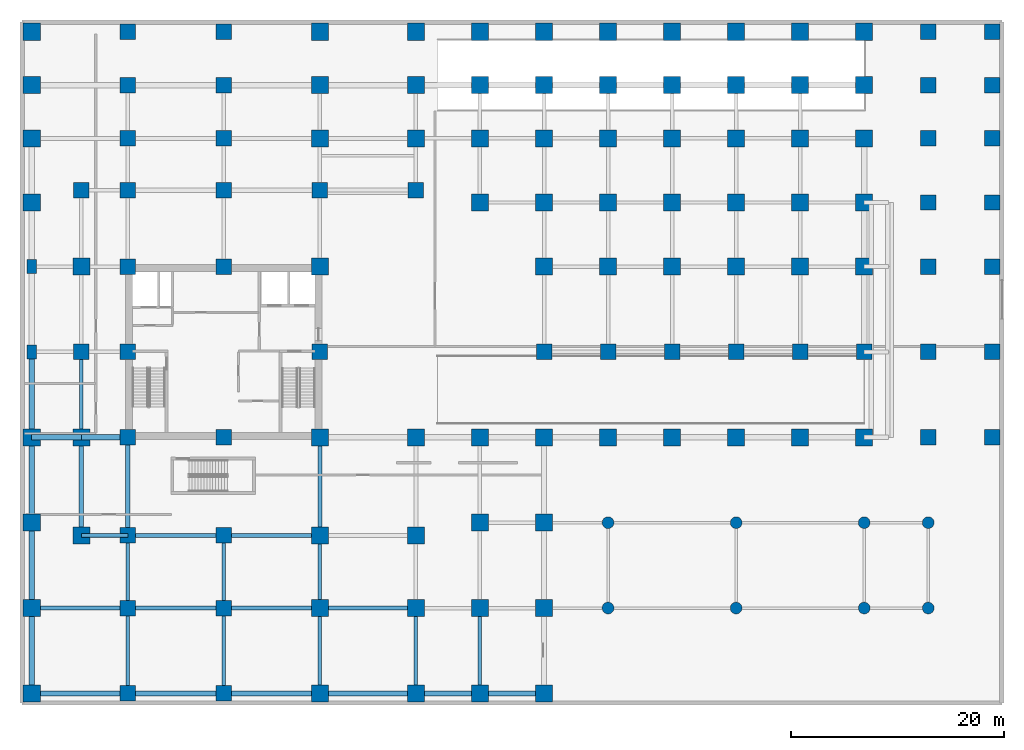
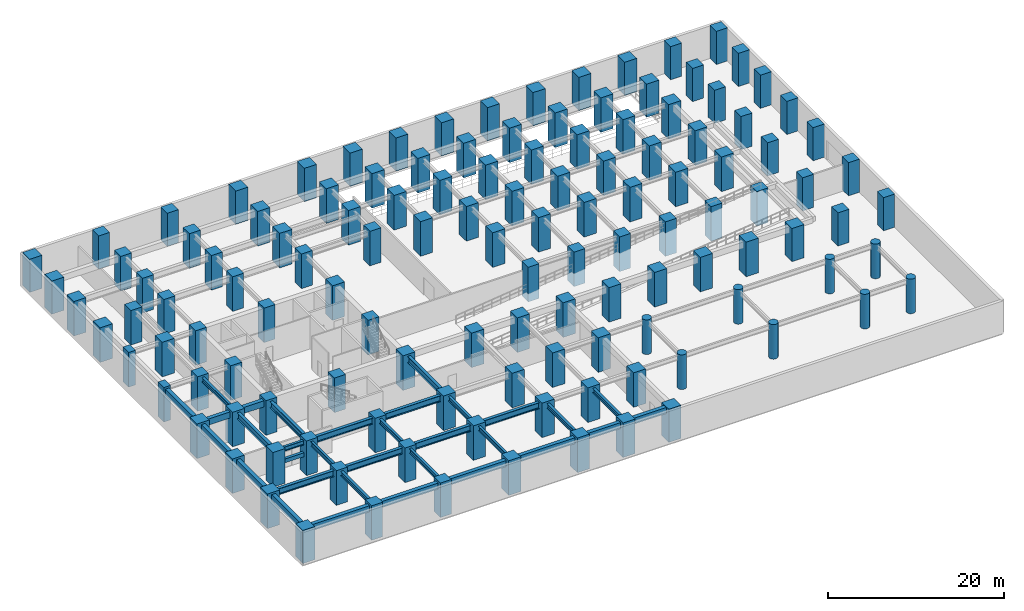
# One storey, part 1 of 9: 127 columns, 32 beams.
"""IFC4 building model written with IfcOpenShell, lengths in metres."""

from ifc_helpers import new_model, si_unit, direction, frame, origin, origin_2d, place, context, subcontext, project, spatial, rectangle, circle, i_section, extrude, source, transform, mapped, material, material_profile, profile_set, type_object, element, save


model = new_model("IFC4")

# Units and contexts
model_context = context("Model", 3, precision=1e-05, world=origin(), true_north=direction((0.0, 1.0)))
body_context = subcontext(model_context, "Body", "Model", "MODEL_VIEW")
ifc_project = project(units=[si_unit("LENGTHUNIT", "METRE"), si_unit("AREAUNIT", "SQUARE_METRE"), si_unit("VOLUMEUNIT", "CUBIC_METRE"), si_unit("PLANEANGLEUNIT", "RADIAN"), si_unit("MASSUNIT", "GRAM", prefix="KILO")], contexts=[model_context])

# Site, building, storey
site_placement = place(None, origin())
site = spatial("IfcSite", under=ifc_project, at=site_placement, CompositionType="ELEMENT")
building_placement = place(site_placement, origin())
building = spatial("IfcBuilding", under=site, at=building_placement, Name="Torre Montelarca", CompositionType="ELEMENT")
storey_placement = place(building_placement, frame((0.0, 0.0, -4.800048828125)))
storey = spatial("IfcBuildingStorey", under=building, at=storey_placement, Name="B1", CompositionType="ELEMENT", Elevation=-4.800048828125)

# Columns
ifc_material_1 = material(Name="Concrete C70/85", Category="concrete")
ifc_material_profile_1 = material_profile(ifc_material_1, rectangle(XDim=1.60009765625, YDim=1.60009765625, at=origin_2d()), Name="RC1600X1600", Category="concrete")
ifc_profile_set_1 = profile_set([ifc_material_profile_1], Name="Concrete C70/85")
column_type_1 = type_object("IfcColumnType", Name="COL-RC1600-EXT", PredefinedType="COLUMN", material=ifc_profile_set_1)
shared_shape_1 = source(origin(), body_context, "Body", "SweptSolid", [
    extrude(rectangle(XDim=1.60009765625, YDim=1.60009765625, at=origin_2d()), origin(), (0.0, 0.0, 1.0), 4.599365234375),
])
for number, where, z_axis, x_axis, name in (
    (1, (0.0, 0.0, 0.000732421875), (0.0, 0.0, 1.0), (1.0, 0.0, 0.0), "B1 Perimeter Mega Column 1/A"),
    (2, (0.0, 57.0, 0.000732421875), (0.0, 0.0, 1.0), (1.0, 0.0, 0.0), "B1 Perimeter Mega Column 1/J"),
    (3, (0.0, 62.0, 0.000732421875), (0.0, 0.0, 1.0), (1.0, 0.0, 0.0), "B1 Perimeter Mega Column 1/K"),
    (4, (27.0, 62.0, 0.000732421875), (0.0, 0.0, 1.0), (1.0, 0.0, 0.0), "B1 Perimeter Mega Column 4/K"),
    (5, (36.0, 62.0, 0.000732421875), (0.0, 0.0, 1.0), (1.0, 0.0, 0.0), "B1 Perimeter Mega Column 5/K"),
    (6, (42.0, 62.0, 0.000732421875), (0.0, 0.0, 1.0), (1.0, 0.0, 0.0), "B1 Perimeter Mega Column 6/K"),
    (7, (48.0, 0.0, 0.000732421875), (0.0, 0.0, 1.0), (1.0, 0.0, 0.0), "B1 Perimeter Mega Column 7/A"),
    (8, (48.0, 62.0, 0.000732421875), (0.0, 0.0, 1.0), (1.0, 0.0, 0.0), "B1 Perimeter Mega Column 7/K"),
    (9, (54.0, 62.0, 0.000732421875), (0.0, 0.0, 1.0), (1.0, 0.0, 0.0), "B1 Perimeter Mega Column 8/K"),
    (10, (60.0, 62.0, 0.000732421875), (0.0, 0.0, 1.0), (1.0, 0.0, 0.0), "B1 Perimeter Mega Column 9/K"),
    (11, (66.0, 62.0, 0.000732421875), (0.0, 0.0, 1.0), (1.0, 0.0, 0.0), "B1 Perimeter Mega Column 10/K"),
    (12, (72.0, 62.0, 0.000732421875), (0.0, 0.0, 1.0), (1.0, 0.0, 0.0), "B1 Perimeter Mega Column 11/K"),
    (13, (78.0, 62.0, 0.000732421875), (0.0, 0.0, 1.0), (1.0, 0.0, 0.0), "B1 Perimeter Mega Column 12/K"),
):
    element("IfcColumn", number, at=place(storey_placement, frame(where, z_axis=z_axis, x_axis=x_axis)), inside=storey, type_object=column_type_1, Name=name, PredefinedType="COLUMN", context=body_context, shape_type="MappedRepresentation", body=[
        mapped(shared_shape_1, transform((0.0, 0.0, 0.0), scale=1.0)),
    ])
shared_shape_2 = source(origin(), body_context, "Body", "SweptSolid", [
    extrude(rectangle(XDim=1.60009765625, YDim=1.60009765625, at=origin_2d()), origin(), (0.0, 0.0, 1.0), 4.798583984375),
])
for number, where, z_axis, x_axis, name in (
    (14, (0.0, 8.0, 0.000732421875), (0.0, 0.0, 1.0), (1.0, 0.0, 0.0), "B1 Perimeter Mega Column 1/B"),
    (15, (0.0, 16.0, 0.000732421875), (0.0, 0.0, 1.0), (1.0, 0.0, 0.0), "B1 Perimeter Mega Column 1/C"),
    (16, (0.0, 24.0, 0.000732421875), (0.0, 0.0, 1.0), (1.0, 0.0, 0.0), "B1 Perimeter Mega Column 1/D"),
    (17, (0.0, 46.0, 0.000732421875), (0.0, 0.0, 1.0), (1.0, 0.0, 0.0), "B1 Perimeter Mega Column 1/G"),
    (18, (0.0, 52.0, 0.000732421875), (0.0, 0.0, 1.0), (1.0, 0.0, 0.0), "B1 Perimeter Mega Column 1/H"),
    (19, (27.0, 0.0, 0.000732421875), (0.0, 0.0, 1.0), (1.0, 0.0, 0.0), "B1 Perimeter Mega Column 4/A"),
    (20, (36.0, 0.0, 0.000732421875), (0.0, 0.0, 1.0), (1.0, 0.0, 0.0), "B1 Perimeter Mega Column 5/A"),
    (21, (42.0, 0.0, 0.000732421875), (0.0, 0.0, 1.0), (1.0, 0.0, 0.0), "B1 Perimeter Mega Column 6/A"),
):
    element("IfcColumn", number, at=place(storey_placement, frame(where, z_axis=z_axis, x_axis=x_axis)), inside=storey, type_object=column_type_1, Name=name, PredefinedType="COLUMN", context=body_context, shape_type="MappedRepresentation", body=[
        mapped(shared_shape_2, transform((0.0, 0.0, 0.0), scale=1.0)),
    ])
ifc_material_2 = material(Name="Concrete C55/67", Category="concrete")
ifc_material_profile_2 = material_profile(ifc_material_2, rectangle(XDim=0.89990234375, YDim=1.300048828125, at=origin_2d()), Name="RC1300X900", Category="concrete")
ifc_profile_set_2 = profile_set([ifc_material_profile_2], Name="Concrete C55/67")
column_type_2 = type_object("IfcColumnType", Name="COL-PIL1300-EXT", PredefinedType="PILASTER", material=ifc_profile_set_2)
shared_shape_3 = source(origin(), body_context, "Body", "SweptSolid", [
    extrude(rectangle(XDim=0.89990234375, YDim=1.300048828125, at=origin_2d()), origin(), (0.0, 0.0, 1.0), 4.798583984375),
])
for number, where, z_axis, x_axis, name in (
    (22, (0.0, 32.0, 0.000732421875), (0.0, 0.0, 1.0), (1.0, 0.0, 0.0), "B1 Column 1/E"),
    (23, (0.0, 40.0, 0.000732421875), (0.0, 0.0, 1.0), (1.0, 0.0, 0.0), "B1 Column 1/F"),
):
    element("IfcColumn", number, at=place(storey_placement, frame(where, z_axis=z_axis, x_axis=x_axis)), inside=storey, type_object=column_type_2, Name=name, PredefinedType="PILASTER", context=body_context, shape_type="MappedRepresentation", body=[
        mapped(shared_shape_3, transform((0.0, 0.0, 0.0), scale=1.0)),
    ])
ifc_material_profile_3 = material_profile(ifc_material_1, rectangle(XDim=1.449951171875, YDim=1.449951171875, at=origin_2d()), Name="RC1450X1450", Category="concrete")
ifc_profile_set_3 = profile_set([ifc_material_profile_3], Name="Concrete C70/85")
column_type_3 = type_object("IfcColumnType", Name="COL-RC1450-EXT", PredefinedType="COLUMN", material=ifc_profile_set_3)
shared_shape_4 = source(origin(), body_context, "Body", "SweptSolid", [
    extrude(rectangle(XDim=1.449951171875, YDim=1.449951171875, at=origin_2d()), origin(), (0.0, 0.0, 1.0), 4.798583984375),
])
for number, where, z_axis, x_axis, name in (
    (24, (9.0, 0.0, 0.000732421875), (0.0, 0.0, 1.0), (1.0, 0.0, 0.0), "B1 Perimeter Mega Column 2/A"),
    (25, (18.0, 0.0, 0.000732421875), (0.0, 0.0, 1.0), (1.0, 0.0, 0.0), "B1 Perimeter Mega Column 3/A"),
):
    element("IfcColumn", number, at=place(storey_placement, frame(where, z_axis=z_axis, x_axis=x_axis)), inside=storey, type_object=column_type_3, Name=name, PredefinedType="COLUMN", context=body_context, shape_type="MappedRepresentation", body=[
        mapped(shared_shape_4, transform((0.0, 0.0, 0.0), scale=1.0)),
    ])
ifc_material_profile_4 = material_profile(ifc_material_1, rectangle(XDim=1.449951171875, YDim=1.449951171875, at=origin_2d()), Name="RC1450X1450", Category="concrete")
ifc_profile_set_4 = profile_set([ifc_material_profile_4], Name="Concrete C70/85")
column_type_4 = type_object("IfcColumnType", Name="COL-RC1450", PredefinedType="COLUMN", material=ifc_profile_set_4)
shared_shape_5 = source(origin(), body_context, "Body", "SweptSolid", [
    extrude(rectangle(XDim=1.449951171875, YDim=1.449951171875, at=origin_2d()), origin(), (0.0, 0.0, 1.0), 4.798583984375),
])
for number, where, z_axis, x_axis, name in (
    (26, (9.0, 8.0, 0.000732421875), (0.0, 0.0, 1.0), (1.0, 0.0, 0.0), "B1 Column 2/B"),
    (27, (9.0, 24.0, 0.000732421875), (0.0, 0.0, 1.0), (1.0, 0.0, 0.0), "B1 Column 2/D"),
    (28, (9.0, 32.0, 0.000732421875), (0.0, 0.0, 1.0), (1.0, 0.0, 0.0), "B1 Column 2/E"),
    (29, (9.0, 40.0, 0.000732421875), (0.0, 0.0, 1.0), (1.0, 0.0, 0.0), "B1 Column 2/F"),
    (30, (9.0, 52.0, 0.000732421875), (0.0, 0.0, 1.0), (1.0, 0.0, 0.0), "B1 Column 2/H"),
    (31, (9.0, 57.0, 0.000732421875), (0.0, 0.0, 1.0), (1.0, 0.0, 0.0), "B1 Column 2/J"),
    (32, (9.0, 14.800048828125, 0.000732421875), (0.0, 0.0, 1.0), (1.0, 0.0, 0.0), "B1 Column 2/CS"),
    (33, (9.0, 47.14990234375, 0.000732421875), (0.0, 0.0, 1.0), (1.0, 0.0, 0.0), "B1 Column 2/GN"),
    (34, (18.0, 8.0, 0.000732421875), (0.0, 0.0, 1.0), (1.0, 0.0, 0.0), "B1 Column 3/B"),
    (35, (18.0, 24.0, 0.000732421875), (0.0, 0.0, 1.0), (1.0, 0.0, 0.0), "B1 Column 3/D"),
    (36, (18.0, 40.0, 0.000732421875), (0.0, 0.0, 1.0), (1.0, 0.0, 0.0), "B1 Column 3/F"),
    (37, (18.0, 52.0, 0.000732421875), (0.0, 0.0, 1.0), (1.0, 0.0, 0.0), "B1 Column 3/H"),
    (38, (18.0, 57.0, 0.000732421875), (0.0, 0.0, 1.0), (1.0, 0.0, 0.0), "B1 Column 3/J"),
    (39, (18.0, 14.800048828125, 0.000732421875), (0.0, 0.0, 1.0), (1.0, 0.0, 0.0), "B1 Column 3/CS"),
    (40, (18.0, 47.14990234375, 0.000732421875), (0.0, 0.0, 1.0), (1.0, 0.0, 0.0), "B1 Column 3/GN"),
    (41, (27.0, 32.0, 0.000732421875), (0.0, 0.0, 1.0), (1.0, 0.0, 0.0), "B1 Column 4/E"),
    (42, (27.0, 47.14990234375, 0.000732421875), (0.0, 0.0, 1.0), (1.0, 0.0, 0.0), "B1 Column 4/GN"),
    (43, (36.0, 47.14990234375, 0.000732421875), (0.0, 0.0, 1.0), (1.0, 0.0, 0.0), "B1 Column 5/GN"),
    (44, (48.0, 32.0, 0.000732421875), (0.0, 0.0, 1.0), (1.0, 0.0, 0.0), "B1 Column 7/E"),
    (45, (54.0, 32.0, 0.000732421875), (0.0, 0.0, 1.0), (1.0, 0.0, 0.0), "B1 Column 8/E"),
    (46, (60.0, 32.0, 0.000732421875), (0.0, 0.0, 1.0), (1.0, 0.0, 0.0), "B1 Column 9/E"),
    (47, (66.0, 32.0, 0.000732421875), (0.0, 0.0, 1.0), (1.0, 0.0, 0.0), "B1 Column 10/E"),
    (48, (72.0, 32.0, 0.000732421875), (0.0, 0.0, 1.0), (1.0, 0.0, 0.0), "B1 Column 11/E"),
    (49, (78.0, 32.0, 0.000732421875), (0.0, 0.0, 1.0), (1.0, 0.0, 0.0), "B1 Column 12/E"),
    (50, (4.64990234375, 32.0, 0.000732421875), (0.0, 0.0, 1.0), (1.0, 0.0, 0.0), "B1 Column 1W/E"),
    (51, (4.64990234375, 47.14990234375, 0.000732421875), (0.0, 0.0, 1.0), (1.0, 0.0, 0.0), "B1 Column 1W/GN"),
):
    element("IfcColumn", number, at=place(storey_placement, frame(where, z_axis=z_axis, x_axis=x_axis)), inside=storey, type_object=column_type_4, Name=name, PredefinedType="COLUMN", context=body_context, shape_type="MappedRepresentation", body=[
        mapped(shared_shape_5, transform((0.0, 0.0, 0.0), scale=1.0)),
    ])
shared_shape_6 = source(origin(), body_context, "Body", "SweptSolid", [
    extrude(rectangle(XDim=1.449951171875, YDim=1.449951171875, at=origin_2d()), origin(), (0.0, 0.0, 1.0), 4.599365234375),
])
for number, where, z_axis, x_axis, name in (
    (52, (9.0, 62.0, 0.000732421875), (0.0, 0.0, 1.0), (1.0, 0.0, 0.0), "B1 Perimeter Mega Column 2/K"),
    (53, (18.0, 62.0, 0.000732421875), (0.0, 0.0, 1.0), (1.0, 0.0, 0.0), "B1 Perimeter Mega Column 3/K"),
    (54, (84.0, 62.0, 0.000732421875), (0.0, 0.0, 1.0), (1.0, 0.0, 0.0), "B1 Perimeter Mega Column 13/K"),
    (55, (90.0, 24.0, 0.000732421875), (0.0, 0.0, 1.0), (1.0, 0.0, 0.0), "B1 Perimeter Mega Column 14/D"),
    (56, (90.0, 32.0, 0.000732421875), (0.0, 0.0, 1.0), (1.0, 0.0, 0.0), "B1 Perimeter Mega Column 14/E"),
    (57, (90.0, 40.0, 0.000732421875), (0.0, 0.0, 1.0), (1.0, 0.0, 0.0), "B1 Perimeter Mega Column 14/F"),
    (58, (90.0, 46.0, 0.000732421875), (0.0, 0.0, 1.0), (1.0, 0.0, 0.0), "B1 Perimeter Mega Column 14/G"),
    (59, (90.0, 52.0, 0.000732421875), (0.0, 0.0, 1.0), (1.0, 0.0, 0.0), "B1 Perimeter Mega Column 14/H"),
    (60, (90.0, 57.0, 0.000732421875), (0.0, 0.0, 1.0), (1.0, 0.0, 0.0), "B1 Perimeter Mega Column 14/J"),
    (61, (90.0, 62.0, 0.000732421875), (0.0, 0.0, 1.0), (1.0, 0.0, 0.0), "B1 Perimeter Mega Column 14/K"),
):
    element("IfcColumn", number, at=place(storey_placement, frame(where, z_axis=z_axis, x_axis=x_axis)), inside=storey, type_object=column_type_3, Name=name, PredefinedType="COLUMN", context=body_context, shape_type="MappedRepresentation", body=[
        mapped(shared_shape_6, transform((0.0, 0.0, 0.0), scale=1.0)),
    ])
ifc_material_profile_5 = material_profile(ifc_material_1, rectangle(XDim=1.60009765625, YDim=1.60009765625, at=origin_2d()), Name="RC1600X1600", Category="concrete")
ifc_profile_set_5 = profile_set([ifc_material_profile_5], Name="Concrete C70/85")
column_type_5 = type_object("IfcColumnType", Name="COL-RC1600", PredefinedType="COLUMN", material=ifc_profile_set_5)
shared_shape_7 = source(origin(), body_context, "Body", "SweptSolid", [
    extrude(rectangle(XDim=1.60009765625, YDim=1.60009765625, at=origin_2d()), origin(), (0.0, 0.0, 1.0), 4.798583984375),
])
for number, where, z_axis, x_axis, name in (
    (62, (27.0, 8.0, 0.000732421875), (0.0, 0.0, 1.0), (1.0, 0.0, 0.0), "B1 Column 4/B"),
    (63, (27.0, 24.0, 0.000732421875), (0.0, 0.0, 1.0), (1.0, 0.0, 0.0), "B1 Column 4/D"),
    (64, (27.0, 40.0, 0.000732421875), (0.0, 0.0, 1.0), (1.0, 0.0, 0.0), "B1 Column 4/F"),
    (65, (27.0, 52.0, 0.000732421875), (0.0, 0.0, 1.0), (1.0, 0.0, 0.0), "B1 Column 4/H"),
    (66, (27.0, 57.0, 0.000732421875), (0.0, 0.0, 1.0), (1.0, 0.0, 0.0), "B1 Column 4/J"),
    (67, (27.0, 14.800048828125, 0.000732421875), (0.0, 0.0, 1.0), (1.0, 0.0, 0.0), "B1 Column 4/CS"),
    (68, (36.0, 8.0, 0.000732421875), (0.0, 0.0, 1.0), (1.0, 0.0, 0.0), "B1 Column 5/B"),
    (69, (36.0, 24.0, 0.000732421875), (0.0, 0.0, 1.0), (1.0, 0.0, 0.0), "B1 Column 5/D"),
    (70, (36.0, 52.0, 0.000732421875), (0.0, 0.0, 1.0), (1.0, 0.0, 0.0), "B1 Column 5/H"),
    (71, (36.0, 57.0, 0.000732421875), (0.0, 0.0, 1.0), (1.0, 0.0, 0.0), "B1 Column 5/J"),
    (72, (36.0, 14.800048828125, 0.000732421875), (0.0, 0.0, 1.0), (1.0, 0.0, 0.0), "B1 Column 5/CS"),
    (73, (42.0, 8.0, 0.000732421875), (0.0, 0.0, 1.0), (1.0, 0.0, 0.0), "B1 Column 6/B"),
    (74, (42.0, 16.0, 0.000732421875), (0.0, 0.0, 1.0), (1.0, 0.0, 0.0), "B1 Column 6/C"),
    (75, (42.0, 24.0, 0.000732421875), (0.0, 0.0, 1.0), (1.0, 0.0, 0.0), "B1 Column 6/D"),
    (76, (42.0, 46.0, 0.000732421875), (0.0, 0.0, 1.0), (1.0, 0.0, 0.0), "B1 Column 6/G"),
    (77, (42.0, 52.0, 0.000732421875), (0.0, 0.0, 1.0), (1.0, 0.0, 0.0), "B1 Column 6/H"),
    (78, (42.0, 57.0, 0.000732421875), (0.0, 0.0, 1.0), (1.0, 0.0, 0.0), "B1 Column 6/J"),
    (79, (48.0, 8.0, 0.000732421875), (0.0, 0.0, 1.0), (1.0, 0.0, 0.0), "B1 Column 7/B"),
    (80, (48.0, 16.0, 0.000732421875), (0.0, 0.0, 1.0), (1.0, 0.0, 0.0), "B1 Column 7/C"),
    (81, (48.0, 24.0, 0.000732421875), (0.0, 0.0, 1.0), (1.0, 0.0, 0.0), "B1 Column 7/D"),
    (82, (48.0, 40.0, 0.000732421875), (0.0, 0.0, 1.0), (1.0, 0.0, 0.0), "B1 Column 7/F"),
    (83, (48.0, 46.0, 0.000732421875), (0.0, 0.0, 1.0), (1.0, 0.0, 0.0), "B1 Column 7/G"),
    (84, (48.0, 52.0, 0.000732421875), (0.0, 0.0, 1.0), (1.0, 0.0, 0.0), "B1 Column 7/H"),
    (85, (48.0, 57.0, 0.000732421875), (0.0, 0.0, 1.0), (1.0, 0.0, 0.0), "B1 Column 7/J"),
    (86, (54.0, 24.0, 0.000732421875), (0.0, 0.0, 1.0), (1.0, 0.0, 0.0), "B1 Column 8/D"),
    (87, (54.0, 40.0, 0.000732421875), (0.0, 0.0, 1.0), (1.0, 0.0, 0.0), "B1 Column 8/F"),
    (88, (54.0, 46.0, 0.000732421875), (0.0, 0.0, 1.0), (1.0, 0.0, 0.0), "B1 Column 8/G"),
    (89, (54.0, 52.0, 0.000732421875), (0.0, 0.0, 1.0), (1.0, 0.0, 0.0), "B1 Column 8/H"),
    (90, (54.0, 57.0, 0.000732421875), (0.0, 0.0, 1.0), (1.0, 0.0, 0.0), "B1 Column 8/J"),
    (91, (60.0, 24.0, 0.000732421875), (0.0, 0.0, 1.0), (1.0, 0.0, 0.0), "B1 Column 9/D"),
    (92, (60.0, 40.0, 0.000732421875), (0.0, 0.0, 1.0), (1.0, 0.0, 0.0), "B1 Column 9/F"),
    (93, (60.0, 46.0, 0.000732421875), (0.0, 0.0, 1.0), (1.0, 0.0, 0.0), "B1 Column 9/G"),
    (94, (60.0, 52.0, 0.000732421875), (0.0, 0.0, 1.0), (1.0, 0.0, 0.0), "B1 Column 9/H"),
    (95, (60.0, 57.0, 0.000732421875), (0.0, 0.0, 1.0), (1.0, 0.0, 0.0), "B1 Column 9/J"),
    (96, (66.0, 24.0, 0.000732421875), (0.0, 0.0, 1.0), (1.0, 0.0, 0.0), "B1 Column 10/D"),
    (97, (66.0, 40.0, 0.000732421875), (0.0, 0.0, 1.0), (1.0, 0.0, 0.0), "B1 Column 10/F"),
    (98, (66.0, 46.0, 0.000732421875), (0.0, 0.0, 1.0), (1.0, 0.0, 0.0), "B1 Column 10/G"),
    (99, (66.0, 52.0, 0.000732421875), (0.0, 0.0, 1.0), (1.0, 0.0, 0.0), "B1 Column 10/H"),
    (100, (66.0, 57.0, 0.000732421875), (0.0, 0.0, 1.0), (1.0, 0.0, 0.0), "B1 Column 10/J"),
    (101, (72.0, 24.0, 0.000732421875), (0.0, 0.0, 1.0), (1.0, 0.0, 0.0), "B1 Column 11/D"),
    (102, (72.0, 40.0, 0.000732421875), (0.0, 0.0, 1.0), (1.0, 0.0, 0.0), "B1 Column 11/F"),
    (103, (72.0, 46.0, 0.000732421875), (0.0, 0.0, 1.0), (1.0, 0.0, 0.0), "B1 Column 11/G"),
    (104, (72.0, 52.0, 0.000732421875), (0.0, 0.0, 1.0), (1.0, 0.0, 0.0), "B1 Column 11/H"),
    (105, (72.0, 57.0, 0.000732421875), (0.0, 0.0, 1.0), (1.0, 0.0, 0.0), "B1 Column 11/J"),
    (106, (78.0, 40.0, 0.000732421875), (0.0, 0.0, 1.0), (1.0, 0.0, 0.0), "B1 Column 12/F"),
    (107, (78.0, 46.0, 0.000732421875), (0.0, 0.0, 1.0), (1.0, 0.0, 0.0), "B1 Column 12/G"),
    (108, (78.0, 52.0, 0.000732421875), (0.0, 0.0, 1.0), (1.0, 0.0, 0.0), "B1 Column 12/H"),
    (109, (4.64990234375, 24.0, 0.000732421875), (0.0, 0.0, 1.0), (1.0, 0.0, 0.0), "B1 Column 1W/D"),
    (110, (4.64990234375, 40.0, 0.000732421875), (0.0, 0.0, 1.0), (1.0, 0.0, 0.0), "B1 Column 1W/F"),
    (111, (4.64990234375, 14.800048828125, 0.000732421875), (0.0, 0.0, 1.0), (1.0, 0.0, 0.0), "B1 Column 1W/CS"),
):
    element("IfcColumn", number, at=place(storey_placement, frame(where, z_axis=z_axis, x_axis=x_axis)), inside=storey, type_object=column_type_5, Name=name, PredefinedType="COLUMN", context=body_context, shape_type="MappedRepresentation", body=[
        mapped(shared_shape_7, transform((0.0, 0.0, 0.0), scale=1.0)),
    ])
shared_shape_8 = source(origin(), body_context, "Body", "SweptSolid", [
    extrude(rectangle(XDim=1.60009765625, YDim=1.60009765625, at=origin_2d()), origin(), (0.0, 0.0, 1.0), 4.599365234375),
])
for number, where, z_axis, x_axis, name in (
    (112, (78.0, 24.0, 0.000732421875), (0.0, 0.0, 1.0), (1.0, 0.0, 0.0), "B1 Column 12/D"),
    (113, (78.0, 57.0, 0.000732421875), (0.0, 0.0, 1.0), (1.0, 0.0, 0.0), "B1 Column 12/J"),
):
    element("IfcColumn", number, at=place(storey_placement, frame(where, z_axis=z_axis, x_axis=x_axis)), inside=storey, type_object=column_type_5, Name=name, PredefinedType="COLUMN", context=body_context, shape_type="MappedRepresentation", body=[
        mapped(shared_shape_8, transform((0.0, 0.0, 0.0), scale=1.0)),
    ])
shared_shape_9 = source(origin(), body_context, "Body", "SweptSolid", [
    extrude(rectangle(XDim=1.449951171875, YDim=1.449951171875, at=origin_2d()), origin(), (0.0, 0.0, 1.0), 4.599365234375),
])
for number, where, z_axis, x_axis, name in (
    (114, (84.0, 24.0, 0.000732421875), (0.0, 0.0, 1.0), (1.0, 0.0, 0.0), "B1 Column 13/D"),
    (115, (84.0, 32.0, 0.000732421875), (0.0, 0.0, 1.0), (1.0, 0.0, 0.0), "B1 Column 13/E"),
    (116, (84.0, 40.0, 0.000732421875), (0.0, 0.0, 1.0), (1.0, 0.0, 0.0), "B1 Column 13/F"),
    (117, (84.0, 46.0, 0.000732421875), (0.0, 0.0, 1.0), (1.0, 0.0, 0.0), "B1 Column 13/G"),
    (118, (84.0, 52.0, 0.000732421875), (0.0, 0.0, 1.0), (1.0, 0.0, 0.0), "B1 Column 13/H"),
    (119, (84.0, 57.0, 0.000732421875), (0.0, 0.0, 1.0), (1.0, 0.0, 0.0), "B1 Column 13/J"),
):
    element("IfcColumn", number, at=place(storey_placement, frame(where, z_axis=z_axis, x_axis=x_axis)), inside=storey, type_object=column_type_4, Name=name, PredefinedType="COLUMN", context=body_context, shape_type="MappedRepresentation", body=[
        mapped(shared_shape_9, transform((0.0, 0.0, 0.0), scale=1.0)),
    ])
ifc_material_profile_6 = material_profile(ifc_material_2, circle(Radius=0.550048828125, at=origin_2d()), Name="RCC1100", Category="concrete")
ifc_profile_set_6 = profile_set([ifc_material_profile_6], Name="Concrete C55/67")
column_type_6 = type_object("IfcColumnType", Name="COL-PIER1100", PredefinedType="USERDEFINED", material=ifc_profile_set_6)
shared_shape_10 = source(origin(), body_context, "Body", "SweptSolid", [
    extrude(circle(Radius=0.550048828125, at=origin_2d()), origin(), (0.0, 0.0, 1.0), 4.798583984375),
])
for number, where, z_axis, x_axis, name in (
    (120, (54.0, 8.0, 0.000732421875), (0.0, 0.0, 1.0), (1.0, 0.0, 0.0), "B1 Plaza Colonnade Pier P01"),
    (121, (66.0, 8.0, 0.000732421875), (0.0, 0.0, 1.0), (1.0, 0.0, 0.0), "B1 Plaza Colonnade Pier P02"),
    (122, (78.0, 8.0, 0.000732421875), (0.0, 0.0, 1.0), (1.0, 0.0, 0.0), "B1 Plaza Colonnade Pier P03"),
    (123, (84.0, 8.0, 0.000732421875), (0.0, 0.0, 1.0), (1.0, 0.0, 0.0), "B1 Plaza Colonnade Pier P04"),
    (124, (54.0, 16.0, 0.000732421875), (0.0, 0.0, 1.0), (1.0, 0.0, 0.0), "B1 Plaza Colonnade Pier P05"),
    (125, (66.0, 16.0, 0.000732421875), (0.0, 0.0, 1.0), (1.0, 0.0, 0.0), "B1 Plaza Colonnade Pier P06"),
    (126, (78.0, 16.0, 0.000732421875), (0.0, 0.0, 1.0), (1.0, 0.0, 0.0), "B1 Plaza Colonnade Pier P07"),
    (127, (84.0, 16.0, 0.000732421875), (0.0, 0.0, 1.0), (1.0, 0.0, 0.0), "B1 Plaza Colonnade Pier P08"),
):
    element("IfcColumn", number, at=place(storey_placement, frame(where, z_axis=z_axis, x_axis=x_axis)), inside=storey, type_object=column_type_6, Name=name, ObjectType="PIER", PredefinedType="USERDEFINED", context=body_context, shape_type="MappedRepresentation", body=[
        mapped(shared_shape_10, transform((0.0, 0.0, 0.0), scale=1.0)),
    ])

# Beams
ifc_material_profile_7 = material_profile(ifc_material_2, rectangle(XDim=0.5, YDim=0.85009765625, at=origin_2d()), Name="RCB500X850", Category="concrete")
ifc_profile_set_7 = profile_set([ifc_material_profile_7], Name="Concrete C55/67")
beam_type_1 = type_object("IfcBeamType", Name="BM-SP-RC850-EXT", PredefinedType="SPANDREL", material=ifc_profile_set_7)
shared_shape_11 = source(origin(), body_context, "Body", "SweptSolid", [
    extrude(rectangle(XDim=0.5, YDim=0.85009765625, at=origin_2d()), origin(), (0.0, 0.0, 1.0), 9.0),
])
for number, where, z_axis, x_axis, name in (
    (128, (0.0, 0.0, 4.094970703125), (1.0, 0.0, 0.0), (0.0, 1.0, 0.0), "B1 Grid Girder X 0.0-9.0 at Y=0.0"),
    (129, (9.0, 0.0, 4.094970703125), (1.0, 0.0, 0.0), (0.0, 1.0, 0.0), "B1 Grid Girder X 9.0-18.0 at Y=0.0"),
    (130, (18.0, 0.0, 4.094970703125), (1.0, 0.0, 0.0), (0.0, 1.0, 0.0), "B1 Grid Girder X 18.0-27.0 at Y=0.0"),
    (131, (27.0, 0.0, 4.094970703125), (1.0, 0.0, 0.0), (0.0, 1.0, 0.0), "B1 Grid Girder X 27.0-36.0 at Y=0.0"),
):
    element("IfcBeam", number, at=place(storey_placement, frame(where, z_axis=z_axis, x_axis=x_axis)), inside=storey, type_object=beam_type_1, Name=name, PredefinedType="SPANDREL", context=body_context, shape_type="MappedRepresentation", body=[
        mapped(shared_shape_11, transform((0.0, 0.0, 0.0), scale=1.0)),
    ])
shared_shape_12 = source(origin(), body_context, "Body", "SweptSolid", [
    extrude(rectangle(XDim=0.5, YDim=0.85009765625, at=origin_2d()), origin(), (0.0, 0.0, 1.0), 6.0),
])
for number, where, z_axis, x_axis, name in (
    (132, (36.0, 0.0, 4.094970703125), (1.0, 0.0, 0.0), (0.0, 1.0, 0.0), "B1 Grid Girder X 36.0-42.0 at Y=0.0"),
    (133, (42.0, 0.0, 4.094970703125), (1.0, 0.0, 0.0), (0.0, 1.0, 0.0), "B1 Grid Girder X 42.0-48.0 at Y=0.0"),
):
    element("IfcBeam", number, at=place(storey_placement, frame(where, z_axis=z_axis, x_axis=x_axis)), inside=storey, type_object=beam_type_1, Name=name, PredefinedType="SPANDREL", context=body_context, shape_type="MappedRepresentation", body=[
        mapped(shared_shape_12, transform((0.0, 0.0, 0.0), scale=1.0)),
    ])
ifc_material_3 = material(Name="Steel ASTM A992 Grade 50", Category="steel")
ifc_material_profile_8 = material_profile(ifc_material_3, i_section(OverallWidth=0.39990234375, OverallDepth=0.85498046875, WebThickness=0.018310546875, FlangeThickness=0.029296875, FilletRadius=0.02001953125, at=origin_2d()), Name="W840X299", Category="steel")
ifc_profile_set_8 = profile_set([ifc_material_profile_8], Name="Steel ASTM A992 Grade 50")
beam_type_2 = type_object("IfcBeamType", Name="BM-G-W840", PredefinedType="BEAM", material=ifc_profile_set_8)
shared_shape_13 = source(origin(), body_context, "Body", "SweptSolid", [
    extrude(i_section(OverallWidth=0.39990234375, OverallDepth=0.85498046875, WebThickness=0.018310546875, FlangeThickness=0.029296875, FilletRadius=0.02001953125, at=origin_2d()), origin(), (0.0, 0.0, 1.0), 9.0),
])
for number, where, z_axis, x_axis, name in (
    (134, (0.0, 8.0, 4.092041015625), (1.0, 0.0, 0.0), (0.0, 1.0, 0.0), "B1 Grid Girder X 0.0-9.0 at Y=8.0"),
    (135, (9.0, 8.0, 4.092041015625), (1.0, 0.0, 0.0), (0.0, 1.0, 0.0), "B1 Grid Girder X 9.0-18.0 at Y=8.0"),
    (136, (18.0, 8.0, 4.092041015625), (1.0, 0.0, 0.0), (0.0, 1.0, 0.0), "B1 Grid Girder X 18.0-27.0 at Y=8.0"),
    (137, (27.0, 8.0, 4.092041015625), (1.0, 0.0, 0.0), (0.0, 1.0, 0.0), "B1 Grid Girder X 27.0-36.0 at Y=8.0"),
    (138, (9.0, 14.800048828125, 4.092041015625), (1.0, 0.0, 0.0), (0.0, 1.0, 0.0), "B1 Grid Girder X 9.0-18.0 at Y=14.8"),
    (139, (18.0, 14.800048828125, 4.092041015625), (1.0, 0.0, 0.0), (0.0, 1.0, 0.0), "B1 Grid Girder X 18.0-27.0 at Y=14.8"),
):
    element("IfcBeam", number, at=place(storey_placement, frame(where, z_axis=z_axis, x_axis=x_axis)), inside=storey, type_object=beam_type_2, Name=name, PredefinedType="BEAM", context=body_context, shape_type="MappedRepresentation", body=[
        mapped(shared_shape_13, transform((0.0, 0.0, 0.0), scale=1.0)),
    ])
ifc_material_profile_9 = material_profile(ifc_material_3, i_section(OverallWidth=0.326904296875, OverallDepth=0.6220703125, WebThickness=0.015380859375, FlangeThickness=0.0244140625, FilletRadius=0.014892578125, at=origin_2d()), Name="W610X195", Category="steel")
ifc_profile_set_9 = profile_set([ifc_material_profile_9], Name="Steel ASTM A992 Grade 50")
beam_type_3 = type_object("IfcBeamType", Name="BM-G-W610H", PredefinedType="BEAM", material=ifc_profile_set_9)
shared_shape_14 = source(origin(), body_context, "Body", "SweptSolid", [
    extrude(i_section(OverallWidth=0.326904296875, OverallDepth=0.6220703125, WebThickness=0.015380859375, FlangeThickness=0.0244140625, FilletRadius=0.014892578125, at=origin_2d()), origin(), (0.0, 0.0, 1.0), 4.35009765625),
])
beam_1_placement = place(storey_placement, frame((4.64990234375, 14.800048828125, 4.208984375), z_axis=(1.0, 0.0, 0.0), x_axis=(0.0, 1.0, 0.0)))
element("IfcBeam", 140, at=beam_1_placement, inside=storey, type_object=beam_type_3, Name="B1 Grid Girder X 4.7-9.0 at Y=14.8", PredefinedType="BEAM", context=body_context, shape_type="MappedRepresentation", body=[
    mapped(shared_shape_14, transform((0.0, 0.0, 0.0), scale=1.0)),
])
shared_shape_15 = source(origin(), body_context, "Body", "SweptSolid", [
    extrude(rectangle(XDim=0.5, YDim=0.85009765625, at=origin_2d()), origin(), (0.0, 0.0, 1.0), 4.64990234375),
])
beam_2_placement = place(storey_placement, frame((0.0, 24.0, 4.094970703125), z_axis=(1.0, 0.0, 0.0), x_axis=(0.0, 1.0, 0.0)))
element("IfcBeam", 141, at=beam_2_placement, inside=storey, type_object=beam_type_1, Name="B1 Grid Girder X 0.0-4.7 at Y=24.0", PredefinedType="SPANDREL", context=body_context, shape_type="MappedRepresentation", body=[
    mapped(shared_shape_15, transform((0.0, 0.0, 0.0), scale=1.0)),
])
shared_shape_16 = source(origin(), body_context, "Body", "SweptSolid", [
    extrude(rectangle(XDim=0.5, YDim=0.85009765625, at=origin_2d()), origin(), (0.0, 0.0, 1.0), 4.35009765625),
])
beam_3_placement = place(storey_placement, frame((4.64990234375, 24.0, 4.094970703125), z_axis=(1.0, 0.0, 0.0), x_axis=(0.0, 1.0, 0.0)))
element("IfcBeam", 142, at=beam_3_placement, inside=storey, type_object=beam_type_1, Name="B1 Grid Girder X 4.7-9.0 at Y=24.0", PredefinedType="SPANDREL", context=body_context, shape_type="MappedRepresentation", body=[
    mapped(shared_shape_16, transform((0.0, 0.0, 0.0), scale=1.0)),
])
shared_shape_17 = source(origin(), body_context, "Body", "SweptSolid", [
    extrude(rectangle(XDim=0.5, YDim=0.85009765625, at=origin_2d()), origin(), (0.0, 0.0, 1.0), 8.0),
])
for number, where, z_axis, x_axis, name in (
    (143, (0.0, 0.0, 4.094970703125), (0.0, 1.0, 0.0), (-1.0, 0.0, 0.0), "B1 Grid Girder Y 0.0-8.0 at X=0.0"),
    (144, (0.0, 8.0, 4.094970703125), (0.0, 1.0, 0.0), (-1.0, 0.0, 0.0), "B1 Grid Girder Y 8.0-16.0 at X=0.0"),
    (145, (0.0, 16.0, 4.094970703125), (0.0, 1.0, 0.0), (-1.0, 0.0, 0.0), "B1 Grid Girder Y 16.0-24.0 at X=0.0"),
    (146, (0.0, 24.0, 4.094970703125), (0.0, 1.0, 0.0), (-1.0, 0.0, 0.0), "B1 Grid Girder Y 24.0-32.0 at X=0.0"),
):
    element("IfcBeam", number, at=place(storey_placement, frame(where, z_axis=z_axis, x_axis=x_axis)), inside=storey, type_object=beam_type_1, Name=name, PredefinedType="SPANDREL", context=body_context, shape_type="MappedRepresentation", body=[
        mapped(shared_shape_17, transform((0.0, 0.0, 0.0), scale=1.0)),
    ])
shared_shape_18 = source(origin(), body_context, "Body", "SweptSolid", [
    extrude(i_section(OverallWidth=0.39990234375, OverallDepth=0.85498046875, WebThickness=0.018310546875, FlangeThickness=0.029296875, FilletRadius=0.02001953125, at=origin_2d()), origin(), (0.0, 0.0, 1.0), 9.199951171875),
])
for number, where, z_axis, x_axis, name in (
    (147, (4.64990234375, 14.800048828125, 4.092041015625), (0.0, 1.0, 0.0), (-1.0, 0.0, 0.0), "B1 Grid Girder Y 14.8-24.0 at X=4.7"),
    (148, (9.0, 14.800048828125, 4.092041015625), (0.0, 1.0, 0.0), (-1.0, 0.0, 0.0), "B1 Grid Girder Y 14.8-24.0 at X=9.0"),
    (149, (27.0, 14.800048828125, 4.092041015625), (0.0, 1.0, 0.0), (-1.0, 0.0, 0.0), "B1 Grid Girder Y 14.8-24.0 at X=27.0"),
):
    element("IfcBeam", number, at=place(storey_placement, frame(where, z_axis=z_axis, x_axis=x_axis)), inside=storey, type_object=beam_type_2, Name=name, PredefinedType="BEAM", context=body_context, shape_type="MappedRepresentation", body=[
        mapped(shared_shape_18, transform((0.0, 0.0, 0.0), scale=1.0)),
    ])
shared_shape_19 = source(origin(), body_context, "Body", "SweptSolid", [
    extrude(i_section(OverallWidth=0.326904296875, OverallDepth=0.6220703125, WebThickness=0.015380859375, FlangeThickness=0.0244140625, FilletRadius=0.014892578125, at=origin_2d()), origin(), (0.0, 0.0, 1.0), 8.0),
])
for number, where, z_axis, x_axis, name in (
    (150, (4.64990234375, 24.0, 4.208984375), (0.0, 1.0, 0.0), (-1.0, 0.0, 0.0), "B1 Grid Girder Y 24.0-32.0 at X=4.7"),
    (151, (9.0, 0.0, 4.208984375), (0.0, 1.0, 0.0), (-1.0, 0.0, 0.0), "B1 Grid Girder Y 0.0-8.0 at X=9.0"),
    (152, (18.0, 0.0, 4.208984375), (0.0, 1.0, 0.0), (-1.0, 0.0, 0.0), "B1 Grid Girder Y 0.0-8.0 at X=18.0"),
    (153, (27.0, 0.0, 4.208984375), (0.0, 1.0, 0.0), (-1.0, 0.0, 0.0), "B1 Grid Girder Y 0.0-8.0 at X=27.0"),
    (154, (36.0, 0.0, 4.208984375), (0.0, 1.0, 0.0), (-1.0, 0.0, 0.0), "B1 Grid Girder Y 0.0-8.0 at X=36.0"),
    (155, (42.0, 0.0, 4.208984375), (0.0, 1.0, 0.0), (-1.0, 0.0, 0.0), "B1 Grid Girder Y 0.0-8.0 at X=42.0"),
):
    element("IfcBeam", number, at=place(storey_placement, frame(where, z_axis=z_axis, x_axis=x_axis)), inside=storey, type_object=beam_type_3, Name=name, PredefinedType="BEAM", context=body_context, shape_type="MappedRepresentation", body=[
        mapped(shared_shape_19, transform((0.0, 0.0, 0.0), scale=1.0)),
    ])
shared_shape_20 = source(origin(), body_context, "Body", "SweptSolid", [
    extrude(i_section(OverallWidth=0.326904296875, OverallDepth=0.6220703125, WebThickness=0.015380859375, FlangeThickness=0.0244140625, FilletRadius=0.014892578125, at=origin_2d()), origin(), (0.0, 0.0, 1.0), 6.800048828125),
])
for number, where, z_axis, x_axis, name in (
    (156, (9.0, 8.0, 4.208984375), (0.0, 1.0, 0.0), (-1.0, 0.0, 0.0), "B1 Grid Girder Y 8.0-14.8 at X=9.0"),
    (157, (18.0, 8.0, 4.208984375), (0.0, 1.0, 0.0), (-1.0, 0.0, 0.0), "B1 Grid Girder Y 8.0-14.8 at X=18.0"),
    (158, (27.0, 8.0, 4.208984375), (0.0, 1.0, 0.0), (-1.0, 0.0, 0.0), "B1 Grid Girder Y 8.0-14.8 at X=27.0"),
):
    element("IfcBeam", number, at=place(storey_placement, frame(where, z_axis=z_axis, x_axis=x_axis)), inside=storey, type_object=beam_type_3, Name=name, PredefinedType="BEAM", context=body_context, shape_type="MappedRepresentation", body=[
        mapped(shared_shape_20, transform((0.0, 0.0, 0.0), scale=1.0)),
    ])
ifc_material_profile_10 = material_profile(ifc_material_2, rectangle(XDim=0.35009765625, YDim=0.550048828125, at=origin_2d()), Name="RCB350X550", Category="concrete")
ifc_profile_set_10 = profile_set([ifc_material_profile_10], Name="Concrete C55/67")
beam_type_4 = type_object("IfcBeamType", Name="BM-LN-RC550", PredefinedType="LINTEL", material=ifc_profile_set_10)
shared_shape_21 = source(origin(), body_context, "Body", "SweptSolid", [
    extrude(rectangle(XDim=0.35009765625, YDim=0.550048828125, at=origin_2d()), origin(), (0.0, 0.0, 1.0), 4.35009765625),
])
beam_4_placement = place(storey_placement, frame((4.64990234375, 14.800048828125, 2.580078125), z_axis=(1.0, 0.0, 0.0), x_axis=(0.0, 1.0, 0.0)))
element("IfcBeam", 159, at=beam_4_placement, inside=storey, type_object=beam_type_4, Name="B1 Gallery Header Lintel Beam", PredefinedType="LINTEL", context=body_context, shape_type="MappedRepresentation", body=[
    mapped(shared_shape_21, transform((0.0, 0.0, 0.0), scale=1.0)),
])

save(model, "model.ifc")
